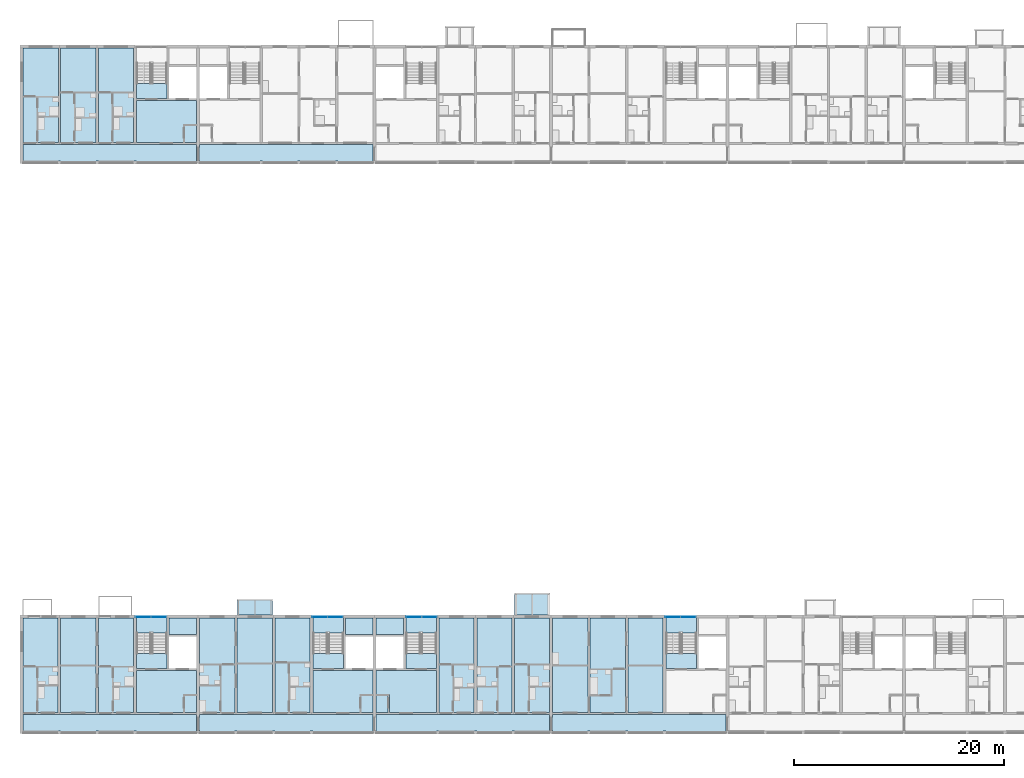
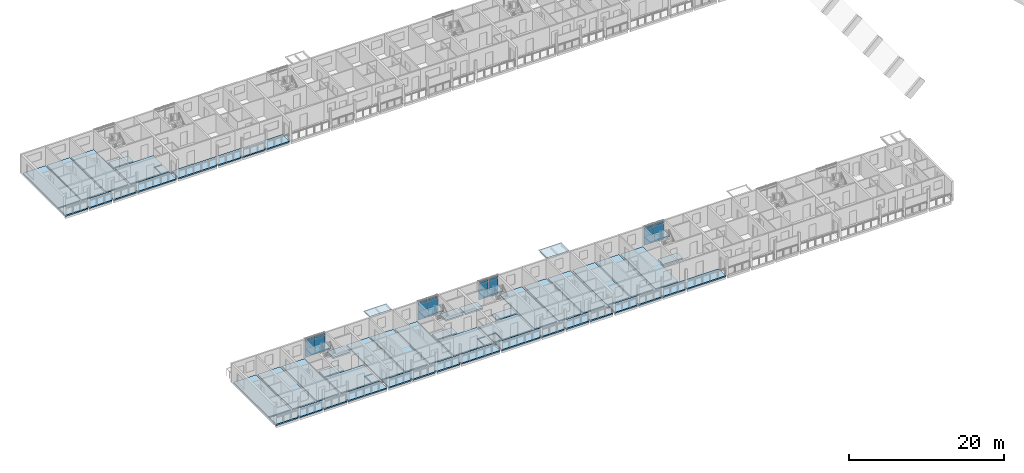
# One storey, part 24 of 98: 43 slabs, 16 plates, 8 elements without a shape of their own.
"""IFC4 building model written with IfcOpenShell, lengths in metres."""

from ifc_helpers import new_model, si_unit, direction, frame, origin, origin_2d, place, context, subcontext, project, spatial, polyline, rectangle, outline, extrude, material, layer, layer_set, type_object, element, aggregate, save


model = new_model("IFC4")

# Units and contexts
model_context = context("Model", 3, precision=1e-05, world=origin(), true_north=direction((0.0, 1.0)))
body_context = subcontext(model_context, "Body", "Model", "MODEL_VIEW")
ifc_project = project(units=[si_unit("LENGTHUNIT", "METRE"), si_unit("AREAUNIT", "SQUARE_METRE"), si_unit("VOLUMEUNIT", "CUBIC_METRE"), si_unit("PLANEANGLEUNIT", "RADIAN"), si_unit("MASSUNIT", "GRAM", prefix="KILO")], contexts=[model_context])

# Site, building, storey
site_placement = place(None, origin())
site = spatial("IfcSite", under=ifc_project, at=site_placement, CompositionType="ELEMENT")
building_placement = place(site_placement, origin())
building = spatial("IfcBuilding", under=site, at=building_placement, Name="Ridgestep Commons", CompositionType="ELEMENT")
storey_placement = place(building_placement, frame((0.0, 0.0, 12.0)))
storey = spatial("IfcBuildingStorey", under=building, at=storey_placement, Name="L04", CompositionType="ELEMENT", Elevation=12.0)

# Slabs
ifc_material_1 = material(Name="Precast concrete C40/50", Category="concrete")
ifc_layer_1 = layer(ifc_material_1, 0.199951171875)
ifc_layer_set_1 = layer_set([ifc_layer_1], Name="Gallery slab 200")
slab_type_1 = type_object("IfcSlabType", Name="Gallery slab 200", PredefinedType="FLOOR", material=ifc_layer_set_1)
slab_1_placement = place(storey_placement, frame((0.0, 0.0, -0.199951171875)))
element("IfcSlab", 1, at=slab_1_placement, inside=storey, type_object=slab_type_1, Name="Gallery slab A1 L04", PredefinedType="FLOOR", context=body_context, shape_type="SweptSolid", body=[
    extrude(outline(polyline([(28.64990234375, 13.550048828125), (12.14990234375, 13.550048828125), (12.14990234375, 11.75), (15.47509765625, 11.75), (15.47509765625, 12.0), (15.72509765625, 12.0), (15.72509765625, 11.75), (19.074951171875, 11.75), (19.074951171875, 12.0), (19.324951171875, 12.0), (19.324951171875, 11.75), (22.675048828125, 11.75), (22.675048828125, 12.0), (22.925048828125, 12.0), (22.925048828125, 11.75), (28.64990234375, 11.75), (28.64990234375, 13.550048828125)])), origin(), (0.0, 0.0, 1.0), 0.199951171875),
])
slab_2_placement = place(storey_placement, frame((0.0, 0.0, -0.199951171875)))
element("IfcSlab", 2, at=slab_2_placement, inside=storey, type_object=slab_type_1, Name="Gallery slab A2 L04", PredefinedType="FLOOR", context=body_context, shape_type="SweptSolid", body=[
    extrude(outline(polyline([(45.449951171875, 13.550048828125), (28.949951171875, 13.550048828125), (28.949951171875, 11.75), (32.27490234375, 11.75), (32.27490234375, 12.0), (32.52490234375, 12.0), (32.52490234375, 11.75), (35.875, 11.75), (35.875, 12.0), (36.125, 12.0), (36.125, 11.75), (39.47509765625, 11.75), (39.47509765625, 12.0), (39.72509765625, 12.0), (39.72509765625, 11.75), (45.449951171875, 11.75), (45.449951171875, 13.550048828125)])), origin(), (0.0, 0.0, 1.0), 0.199951171875),
])
slab_3_placement = place(storey_placement, frame((0.0, 0.0, -0.199951171875)))
element("IfcSlab", 3, at=slab_3_placement, inside=storey, type_object=slab_type_1, Name="Gallery slab A3 L04", PredefinedType="FLOOR", context=body_context, shape_type="SweptSolid", body=[
    extrude(outline(polyline([(62.25, 13.550048828125), (45.75, 13.550048828125), (45.75, 11.75), (51.47509765625, 11.75), (51.47509765625, 12.0), (51.72509765625, 12.0), (51.72509765625, 11.75), (55.074951171875, 11.75), (55.074951171875, 12.0), (55.324951171875, 12.0), (55.324951171875, 11.75), (58.675048828125, 11.75), (58.675048828125, 12.0), (58.925048828125, 12.0), (58.925048828125, 11.75), (62.25, 11.75), (62.25, 13.550048828125)])), origin(), (0.0, 0.0, 1.0), 0.199951171875),
])
slab_4_placement = place(storey_placement, frame((0.0, 0.0, -0.199951171875)))
element("IfcSlab", 4, at=slab_4_placement, inside=storey, type_object=slab_type_1, Name="Gallery slab A4 L04", PredefinedType="FLOOR", context=body_context, shape_type="SweptSolid", body=[
    extrude(outline(polyline([(79.050048828125, 13.550048828125), (62.550048828125, 13.550048828125), (62.550048828125, 11.75), (65.875, 11.75), (65.875, 12.0), (66.125, 12.0), (66.125, 11.75), (69.47509765625, 11.75), (69.47509765625, 12.0), (69.72509765625, 12.0), (69.72509765625, 11.75), (73.074951171875, 11.75), (73.074951171875, 12.0), (73.324951171875, 12.0), (73.324951171875, 11.75), (79.050048828125, 11.75), (79.050048828125, 13.550048828125)])), origin(), (0.0, 0.0, 1.0), 0.199951171875),
])
slab_5_placement = place(storey_placement, frame((0.0, 0.0, -0.199951171875)))
element("IfcSlab", 5, at=slab_5_placement, inside=storey, type_object=slab_type_1, Name="Gallery slab B1 L04", PredefinedType="FLOOR", context=body_context, shape_type="SweptSolid", body=[
    extrude(outline(polyline([(28.64990234375, 67.800048828125), (12.14990234375, 67.800048828125), (12.14990234375, 66.0), (15.47509765625, 66.0), (15.47509765625, 66.25), (15.72509765625, 66.25), (15.72509765625, 66.0), (19.074951171875, 66.0), (19.074951171875, 66.25), (19.324951171875, 66.25), (19.324951171875, 66.0), (22.675048828125, 66.0), (22.675048828125, 66.25), (22.925048828125, 66.25), (22.925048828125, 66.0), (28.64990234375, 66.0), (28.64990234375, 67.800048828125)])), origin(), (0.0, 0.0, 1.0), 0.199951171875),
])
slab_6_placement = place(storey_placement, frame((0.0, 0.0, -0.199951171875)))
element("IfcSlab", 6, at=slab_6_placement, inside=storey, type_object=slab_type_1, Name="Gallery slab B2 L04", PredefinedType="FLOOR", context=body_context, shape_type="SweptSolid", body=[
    extrude(outline(polyline([(45.449951171875, 67.800048828125), (28.949951171875, 67.800048828125), (28.949951171875, 66.0), (34.675048828125, 66.0), (34.675048828125, 66.25), (34.925048828125, 66.25), (34.925048828125, 66.0), (38.27490234375, 66.0), (38.27490234375, 66.25), (38.52490234375, 66.25), (38.52490234375, 66.0), (41.875, 66.0), (41.875, 66.25), (42.125, 66.25), (42.125, 66.0), (45.449951171875, 66.0), (45.449951171875, 67.800048828125)])), origin(), (0.0, 0.0, 1.0), 0.199951171875),
])

# Curtain wall, plates
ifc_material_2 = material(Name="Aluminium 6063-T6 and glass", Category="aluminium")
curtain_wall_type = type_object("IfcCurtainWallType", Name="Curtain wall stair strip", PredefinedType="NOTDEFINED", material=ifc_material_2)
curtain_wall_1_placement = place(storey_placement, origin())
curtain_wall_1 = element("IfcCurtainWall", 7, at=curtain_wall_1_placement, inside=storey, type_object=curtain_wall_type, Name="Curtain wall A1C level 04", PredefinedType="NOTDEFINED")
ifc_material_3 = material(Name="Glass laminated 6/16/6 low-emissivity", Category="glass")
ifc_layer_2 = layer(ifc_material_3, 0.028076171875)
ifc_layer_set_2 = layer_set([ifc_layer_2], Name="Glazing panel 28")
plate_type_1 = type_object("IfcPlateType", Name="Glazing panel 28", PredefinedType="CURTAIN_PANEL", material=ifc_layer_set_2)
plate_1_placement = place(storey_placement, frame((23.5712890625, 22.830078125, 0.06005859375), z_axis=(0.0, 0.0, 1.0), x_axis=(1.0, 0.0, 0.0)))
plate_1 = element("IfcPlate", 8, at=plate_1_placement, type_object=plate_type_1, Name="CW1 panel 1.1", PredefinedType="CURTAIN_PANEL", context=body_context, shape_type="SweptSolid", body=[
    extrude(rectangle(XDim=1.422607421875, YDim=0.028076171875, at=origin_2d()), origin(), (0.0, 0.0, 1.0), 2.5),
])
plate_2_placement = place(storey_placement, frame((25.0537109375, 22.830078125, 0.06005859375), z_axis=(0.0, 0.0, 1.0), x_axis=(1.0, 0.0, 0.0)))
plate_2 = element("IfcPlate", 9, at=plate_2_placement, type_object=plate_type_1, Name="CW1 panel 2.1", PredefinedType="CURTAIN_PANEL", context=body_context, shape_type="SweptSolid", body=[
    extrude(rectangle(XDim=1.422607421875, YDim=0.028076171875, at=origin_2d()), origin(), (0.0, 0.0, 1.0), 2.5),
])

curtain_wall_2_placement = place(storey_placement, origin())
curtain_wall_2 = element("IfcCurtainWall", 10, at=curtain_wall_2_placement, inside=storey, type_object=curtain_wall_type, Name="Curtain wall A2C level 04", PredefinedType="NOTDEFINED")
plate_3_placement = place(storey_placement, frame((40.371337890625, 22.830078125, 0.06005859375), z_axis=(0.0, 0.0, 1.0), x_axis=(1.0, 0.0, 0.0)))
plate_3 = element("IfcPlate", 11, at=plate_3_placement, type_object=plate_type_1, Name="CW1 panel 1.1", PredefinedType="CURTAIN_PANEL", context=body_context, shape_type="SweptSolid", body=[
    extrude(rectangle(XDim=1.422607421875, YDim=0.028076171875, at=origin_2d()), origin(), (0.0, 0.0, 1.0), 2.5),
])
plate_4_placement = place(storey_placement, frame((41.853759765625, 22.830078125, 0.06005859375), z_axis=(0.0, 0.0, 1.0), x_axis=(1.0, 0.0, 0.0)))
plate_4 = element("IfcPlate", 12, at=plate_4_placement, type_object=plate_type_1, Name="CW1 panel 2.1", PredefinedType="CURTAIN_PANEL", context=body_context, shape_type="SweptSolid", body=[
    extrude(rectangle(XDim=1.422607421875, YDim=0.028076171875, at=origin_2d()), origin(), (0.0, 0.0, 1.0), 2.5),
])

curtain_wall_3_placement = place(storey_placement, origin())
curtain_wall_3 = element("IfcCurtainWall", 13, at=curtain_wall_3_placement, inside=storey, type_object=curtain_wall_type, Name="Curtain wall A3C level 04", PredefinedType="NOTDEFINED")
plate_5_placement = place(storey_placement, frame((49.34619140625, 22.830078125, 0.06005859375), z_axis=(0.0, 0.0, 1.0), x_axis=(1.0, 0.0, 0.0)))
plate_5 = element("IfcPlate", 14, at=plate_5_placement, type_object=plate_type_1, Name="CW1 panel 1.1", PredefinedType="CURTAIN_PANEL", context=body_context, shape_type="SweptSolid", body=[
    extrude(rectangle(XDim=1.422607421875, YDim=0.028076171875, at=origin_2d()), origin(), (0.0, 0.0, 1.0), 2.5),
])
plate_6_placement = place(storey_placement, frame((50.828857421875, 22.830078125, 0.06005859375), z_axis=(0.0, 0.0, 1.0), x_axis=(1.0, 0.0, 0.0)))
plate_6 = element("IfcPlate", 15, at=plate_6_placement, type_object=plate_type_1, Name="CW1 panel 2.1", PredefinedType="CURTAIN_PANEL", context=body_context, shape_type="SweptSolid", body=[
    extrude(rectangle(XDim=1.422607421875, YDim=0.028076171875, at=origin_2d()), origin(), (0.0, 0.0, 1.0), 2.5),
])

curtain_wall_4_placement = place(storey_placement, origin())
curtain_wall_4 = element("IfcCurtainWall", 16, at=curtain_wall_4_placement, inside=storey, type_object=curtain_wall_type, Name="Curtain wall A4C level 04", PredefinedType="NOTDEFINED")
plate_7_placement = place(storey_placement, frame((73.97119140625, 22.830078125, 0.06005859375), z_axis=(0.0, 0.0, 1.0), x_axis=(1.0, 0.0, 0.0)))
plate_7 = element("IfcPlate", 17, at=plate_7_placement, type_object=plate_type_1, Name="CW1 panel 1.1", PredefinedType="CURTAIN_PANEL", context=body_context, shape_type="SweptSolid", body=[
    extrude(rectangle(XDim=1.422607421875, YDim=0.028076171875, at=origin_2d()), origin(), (0.0, 0.0, 1.0), 2.5),
])
plate_8_placement = place(storey_placement, frame((75.453857421875, 22.830078125, 0.06005859375), z_axis=(0.0, 0.0, 1.0), x_axis=(1.0, 0.0, 0.0)))
plate_8 = element("IfcPlate", 18, at=plate_8_placement, type_object=plate_type_1, Name="CW1 panel 2.1", PredefinedType="CURTAIN_PANEL", context=body_context, shape_type="SweptSolid", body=[
    extrude(rectangle(XDim=1.422607421875, YDim=0.028076171875, at=origin_2d()), origin(), (0.0, 0.0, 1.0), 2.5),
])

# Slabs
ifc_material_4 = material(Name="Precast concrete C50/60", Category="concrete")
ifc_layer_3 = layer(ifc_material_4, 0.199951171875)
ifc_layer_set_3 = layer_set([ifc_layer_3], Name="Hollow-core plank 200")
slab_type_2 = type_object("IfcSlabType", Name="Hollow-core plank 200", PredefinedType="FLOOR", material=ifc_layer_set_3)
slab_7_placement = place(storey_placement, frame((0.0, 0.0, -0.199951171875)))
element("IfcSlab", 19, at=slab_7_placement, inside=storey, type_object=slab_type_2, Name="Floor plank A1T1 L04", PredefinedType="FLOOR", context=body_context, shape_type="SweptSolid", body=[
    extrude(outline(polyline([(15.47509765625, 13.75), (15.47509765625, 22.75), (12.14990234375, 22.75), (12.14990234375, 13.75), (15.47509765625, 13.75)])), origin(), (0.0, 0.0, 1.0), 0.199951171875),
])
slab_8_placement = place(storey_placement, frame((0.0, 0.0, -0.199951171875)))
element("IfcSlab", 20, at=slab_8_placement, inside=storey, type_object=slab_type_2, Name="Floor plank A1T2 L04", PredefinedType="FLOOR", context=body_context, shape_type="SweptSolid", body=[
    extrude(outline(polyline([(19.074951171875, 13.75), (19.074951171875, 22.75), (15.72509765625, 22.75), (15.72509765625, 13.75), (19.074951171875, 13.75)])), origin(), (0.0, 0.0, 1.0), 0.199951171875),
])
slab_9_placement = place(storey_placement, frame((0.0, 0.0, -0.199951171875)))
element("IfcSlab", 21, at=slab_9_placement, inside=storey, type_object=slab_type_2, Name="Floor plank A1T3 L04", PredefinedType="FLOOR", context=body_context, shape_type="SweptSolid", body=[
    extrude(outline(polyline([(22.675048828125, 13.75), (22.675048828125, 22.75), (19.324951171875, 22.75), (19.324951171875, 13.75), (22.675048828125, 13.75)])), origin(), (0.0, 0.0, 1.0), 0.199951171875),
])
slab_10_placement = place(storey_placement, frame((0.0, 0.0, -0.199951171875)))
element("IfcSlab", 22, at=slab_10_placement, inside=storey, type_object=slab_type_2, Name="Floor plank A2T1 L04", PredefinedType="FLOOR", context=body_context, shape_type="SweptSolid", body=[
    extrude(outline(polyline([(32.300048828125, 13.75), (32.300048828125, 22.75), (28.949951171875, 22.75), (28.949951171875, 13.75), (32.300048828125, 13.75)])), origin(), (0.0, 0.0, 1.0), 0.199951171875),
])
slab_11_placement = place(storey_placement, frame((0.0, 0.0, -0.199951171875)))
element("IfcSlab", 23, at=slab_11_placement, inside=storey, type_object=slab_type_2, Name="Floor plank A2T2 L04", PredefinedType="FLOOR", context=body_context, shape_type="SweptSolid", body=[
    extrude(outline(polyline([(35.875, 13.75), (35.875, 22.75), (32.5, 22.75), (32.5, 13.75), (35.875, 13.75)])), origin(), (0.0, 0.0, 1.0), 0.199951171875),
])
slab_12_placement = place(storey_placement, frame((0.0, 0.0, -0.199951171875)))
element("IfcSlab", 24, at=slab_12_placement, inside=storey, type_object=slab_type_2, Name="Floor plank A2T3 L04", PredefinedType="FLOOR", context=body_context, shape_type="SweptSolid", body=[
    extrude(outline(polyline([(39.47509765625, 13.75), (39.47509765625, 22.75), (36.125, 22.75), (36.125, 13.75), (39.47509765625, 13.75)])), origin(), (0.0, 0.0, 1.0), 0.199951171875),
])
slab_13_placement = place(storey_placement, frame((0.0, 0.0, -0.199951171875)))
element("IfcSlab", 25, at=slab_13_placement, inside=storey, type_object=slab_type_2, Name="Floor plank A3T3 L04", PredefinedType="FLOOR", context=body_context, shape_type="SweptSolid", body=[
    extrude(outline(polyline([(55.074951171875, 13.75), (55.074951171875, 22.75), (51.72509765625, 22.75), (51.72509765625, 13.75), (55.074951171875, 13.75)])), origin(), (0.0, 0.0, 1.0), 0.199951171875),
])
slab_14_placement = place(storey_placement, frame((0.0, 0.0, -0.199951171875)))
element("IfcSlab", 26, at=slab_14_placement, inside=storey, type_object=slab_type_2, Name="Floor plank A3T2 L04", PredefinedType="FLOOR", context=body_context, shape_type="SweptSolid", body=[
    extrude(outline(polyline([(58.675048828125, 13.75), (58.675048828125, 22.75), (55.324951171875, 22.75), (55.324951171875, 13.75), (58.675048828125, 13.75)])), origin(), (0.0, 0.0, 1.0), 0.199951171875),
])
slab_15_placement = place(storey_placement, frame((0.0, 0.0, -0.199951171875)))
element("IfcSlab", 27, at=slab_15_placement, inside=storey, type_object=slab_type_2, Name="Floor plank A3T1 L04", PredefinedType="FLOOR", context=body_context, shape_type="SweptSolid", body=[
    extrude(outline(polyline([(62.25, 13.75), (62.25, 22.75), (58.925048828125, 22.75), (58.925048828125, 13.75), (62.25, 13.75)])), origin(), (0.0, 0.0, 1.0), 0.199951171875),
])
slab_16_placement = place(storey_placement, frame((0.0, 0.0, -0.199951171875)))
element("IfcSlab", 28, at=slab_16_placement, inside=storey, type_object=slab_type_2, Name="Floor plank A4T1 L04", PredefinedType="FLOOR", context=body_context, shape_type="SweptSolid", body=[
    extrude(outline(polyline([(65.89990234375, 13.75), (65.89990234375, 22.75), (62.550048828125, 22.75), (62.550048828125, 13.75), (65.89990234375, 13.75)])), origin(), (0.0, 0.0, 1.0), 0.199951171875),
])
slab_17_placement = place(storey_placement, frame((0.0, 0.0, -0.199951171875)))
element("IfcSlab", 29, at=slab_17_placement, inside=storey, type_object=slab_type_2, Name="Floor plank A4T2 L04", PredefinedType="FLOOR", context=body_context, shape_type="SweptSolid", body=[
    extrude(outline(polyline([(69.47509765625, 13.75), (69.47509765625, 22.75), (66.10009765625, 22.75), (66.10009765625, 13.75), (69.47509765625, 13.75)])), origin(), (0.0, 0.0, 1.0), 0.199951171875),
])
slab_18_placement = place(storey_placement, frame((0.0, 0.0, -0.199951171875)))
element("IfcSlab", 30, at=slab_18_placement, inside=storey, type_object=slab_type_2, Name="Floor plank A4T3 L04", PredefinedType="FLOOR", context=body_context, shape_type="SweptSolid", body=[
    extrude(outline(polyline([(73.074951171875, 13.75), (73.074951171875, 22.75), (69.72509765625, 22.75), (69.72509765625, 13.75), (73.074951171875, 13.75)])), origin(), (0.0, 0.0, 1.0), 0.199951171875),
])
slab_19_placement = place(storey_placement, frame((0.0, 0.0, -0.199951171875)))
element("IfcSlab", 31, at=slab_19_placement, inside=storey, type_object=slab_type_2, Name="Floor plank B1T1 L04", PredefinedType="FLOOR", context=body_context, shape_type="SweptSolid", body=[
    extrude(outline(polyline([(15.5, 68.0), (15.5, 77.0), (12.14990234375, 77.0), (12.14990234375, 68.0), (15.5, 68.0)])), origin(), (0.0, 0.0, 1.0), 0.199951171875),
])
slab_20_placement = place(storey_placement, frame((0.0, 0.0, -0.199951171875)))
element("IfcSlab", 32, at=slab_20_placement, inside=storey, type_object=slab_type_2, Name="Floor plank B1T2 L04", PredefinedType="FLOOR", context=body_context, shape_type="SweptSolid", body=[
    extrude(outline(polyline([(19.10009765625, 68.0), (19.10009765625, 77.0), (15.699951171875, 77.0), (15.699951171875, 68.0), (19.10009765625, 68.0)])), origin(), (0.0, 0.0, 1.0), 0.199951171875),
])
slab_21_placement = place(storey_placement, frame((0.0, 0.0, -0.199951171875)))
element("IfcSlab", 33, at=slab_21_placement, inside=storey, type_object=slab_type_2, Name="Floor plank B1T3 L04", PredefinedType="FLOOR", context=body_context, shape_type="SweptSolid", body=[
    extrude(outline(polyline([(22.675048828125, 68.0), (22.675048828125, 77.0), (19.300048828125, 77.0), (19.300048828125, 68.0), (22.675048828125, 68.0)])), origin(), (0.0, 0.0, 1.0), 0.199951171875),
])
ifc_material_5 = material(Name="Precast concrete C50/60", Category="concrete")
ifc_layer_4 = layer(ifc_material_5, 0.25)
ifc_layer_set_4 = layer_set([ifc_layer_4], Name="Hollow-core plank 250")
slab_type_3 = type_object("IfcSlabType", Name="Hollow-core plank 250", PredefinedType="FLOOR", material=ifc_layer_set_4)
slab_22_placement = place(storey_placement, frame((0.0, 0.0, -0.25)))
element("IfcSlab", 34, at=slab_22_placement, inside=storey, type_object=slab_type_3, Name="Floor plank A1C L04", PredefinedType="FLOOR", context=body_context, shape_type="SweptSolid", body=[
    extrude(outline(polyline([(27.52001953125, 15.469970703125), (28.64990234375, 15.469970703125), (28.64990234375, 17.75), (22.925048828125, 17.75), (22.925048828125, 13.75), (27.39990234375, 13.75), (27.39990234375, 15.469970703125), (27.52001953125, 15.469970703125)])), origin(), (0.0, 0.0, 1.0), 0.25),
])
slab_23_placement = place(storey_placement, frame((0.0, 0.0, -0.25)))
element("IfcSlab", 35, at=slab_23_placement, inside=storey, type_object=slab_type_3, Name="Floor plank A1C L04", PredefinedType="FLOOR", context=body_context, shape_type="SweptSolid", body=[
    extrude(outline(polyline([(28.64990234375, 21.14990234375), (28.64990234375, 22.75), (26.02490234375, 22.75), (26.02490234375, 21.14990234375), (28.64990234375, 21.14990234375)])), origin(), (0.0, 0.0, 1.0), 0.25),
])
slab_24_placement = place(storey_placement, frame((0.0, 0.0, -0.25)))
element("IfcSlab", 36, at=slab_24_placement, inside=storey, type_object=slab_type_3, Name="Floor plank A1C L04", PredefinedType="FLOOR", context=body_context, shape_type="SweptSolid", body=[
    extrude(outline(polyline([(25.824951171875, 17.949951171875), (25.824951171875, 19.35009765625), (22.925048828125, 19.35009765625), (22.925048828125, 17.949951171875), (25.824951171875, 17.949951171875)])), origin(), (0.0, 0.0, 1.0), 0.25),
])
slab_25_placement = place(storey_placement, frame((0.0, 0.0, -0.25)))
element("IfcSlab", 37, at=slab_25_placement, inside=storey, type_object=slab_type_3, Name="Floor plank A1C L04", PredefinedType="FLOOR", context=body_context, shape_type="SweptSolid", body=[
    extrude(outline(polyline([(27.52001953125, 13.75), (28.64990234375, 13.75), (28.64990234375, 15.35009765625), (27.52001953125, 15.35009765625), (27.52001953125, 13.75)])), origin(), (0.0, 0.0, 1.0), 0.25),
])
slab_26_placement = place(storey_placement, frame((0.0, 0.0, -0.25)))
element("IfcSlab", 38, at=slab_26_placement, inside=storey, type_object=slab_type_3, Name="Floor plank A2C L04", PredefinedType="FLOOR", context=body_context, shape_type="SweptSolid", body=[
    extrude(outline(polyline([(44.320068359375, 15.469970703125), (45.449951171875, 15.469970703125), (45.449951171875, 17.75), (39.72509765625, 17.75), (39.72509765625, 13.75), (44.199951171875, 13.75), (44.199951171875, 15.469970703125), (44.320068359375, 15.469970703125)])), origin(), (0.0, 0.0, 1.0), 0.25),
])
slab_27_placement = place(storey_placement, frame((0.0, 0.0, -0.25)))
element("IfcSlab", 39, at=slab_27_placement, inside=storey, type_object=slab_type_3, Name="Floor plank A2C L04", PredefinedType="FLOOR", context=body_context, shape_type="SweptSolid", body=[
    extrude(outline(polyline([(45.449951171875, 21.14990234375), (45.449951171875, 22.75), (42.824951171875, 22.75), (42.824951171875, 21.14990234375), (45.449951171875, 21.14990234375)])), origin(), (0.0, 0.0, 1.0), 0.25),
])
slab_28_placement = place(storey_placement, frame((0.0, 0.0, -0.25)))
element("IfcSlab", 40, at=slab_28_placement, inside=storey, type_object=slab_type_3, Name="Floor plank A2C L04", PredefinedType="FLOOR", context=body_context, shape_type="SweptSolid", body=[
    extrude(outline(polyline([(42.625, 17.949951171875), (42.625, 19.35009765625), (39.72509765625, 19.35009765625), (39.72509765625, 17.949951171875), (42.625, 17.949951171875)])), origin(), (0.0, 0.0, 1.0), 0.25),
])
slab_29_placement = place(storey_placement, frame((0.0, 0.0, -0.25)))
element("IfcSlab", 41, at=slab_29_placement, inside=storey, type_object=slab_type_3, Name="Floor plank A2C L04", PredefinedType="FLOOR", context=body_context, shape_type="SweptSolid", body=[
    extrude(outline(polyline([(44.320068359375, 13.75), (45.449951171875, 13.75), (45.449951171875, 15.35009765625), (44.320068359375, 15.35009765625), (44.320068359375, 13.75)])), origin(), (0.0, 0.0, 1.0), 0.25),
])
slab_30_placement = place(storey_placement, frame((0.0, 0.0, -0.25)))
element("IfcSlab", 42, at=slab_30_placement, inside=storey, type_object=slab_type_3, Name="Floor plank A3C L04", PredefinedType="FLOOR", context=body_context, shape_type="SweptSolid", body=[
    extrude(outline(polyline([(47.0, 13.75), (51.47509765625, 13.75), (51.47509765625, 17.75), (45.75, 17.75), (45.75, 15.469970703125), (46.8798828125, 15.469970703125), (47.0, 15.469970703125), (47.0, 13.75)])), origin(), (0.0, 0.0, 1.0), 0.25),
])
slab_31_placement = place(storey_placement, frame((0.0, 0.0, -0.25)))
element("IfcSlab", 43, at=slab_31_placement, inside=storey, type_object=slab_type_3, Name="Floor plank A3C L04", PredefinedType="FLOOR", context=body_context, shape_type="SweptSolid", body=[
    extrude(outline(polyline([(48.375, 22.75), (45.75, 22.75), (45.75, 21.14990234375), (48.375, 21.14990234375), (48.375, 22.75)])), origin(), (0.0, 0.0, 1.0), 0.25),
])
slab_32_placement = place(storey_placement, frame((0.0, 0.0, -0.25)))
element("IfcSlab", 44, at=slab_32_placement, inside=storey, type_object=slab_type_3, Name="Floor plank A3C L04", PredefinedType="FLOOR", context=body_context, shape_type="SweptSolid", body=[
    extrude(outline(polyline([(51.47509765625, 17.949951171875), (51.47509765625, 19.35009765625), (48.574951171875, 19.35009765625), (48.574951171875, 17.949951171875), (51.47509765625, 17.949951171875)])), origin(), (0.0, 0.0, 1.0), 0.25),
])
slab_33_placement = place(storey_placement, frame((0.0, 0.0, -0.25)))
element("IfcSlab", 45, at=slab_33_placement, inside=storey, type_object=slab_type_3, Name="Floor plank A3C L04", PredefinedType="FLOOR", context=body_context, shape_type="SweptSolid", body=[
    extrude(outline(polyline([(46.8798828125, 15.35009765625), (45.75, 15.35009765625), (45.75, 13.75), (46.8798828125, 13.75), (46.8798828125, 15.35009765625)])), origin(), (0.0, 0.0, 1.0), 0.25),
])
slab_34_placement = place(storey_placement, frame((0.0, 0.0, -0.25)))
element("IfcSlab", 46, at=slab_34_placement, inside=storey, type_object=slab_type_3, Name="Floor plank A4C L04", PredefinedType="FLOOR", context=body_context, shape_type="SweptSolid", body=[
    extrude(outline(polyline([(76.22509765625, 17.949951171875), (76.22509765625, 19.35009765625), (73.324951171875, 19.35009765625), (73.324951171875, 17.949951171875), (76.22509765625, 17.949951171875)])), origin(), (0.0, 0.0, 1.0), 0.25),
])
slab_35_placement = place(storey_placement, frame((0.0, 0.0, -0.25)))
element("IfcSlab", 47, at=slab_35_placement, inside=storey, type_object=slab_type_3, Name="Floor plank B1C L04", PredefinedType="FLOOR", context=body_context, shape_type="SweptSolid", body=[
    extrude(outline(polyline([(27.52001953125, 69.719970703125), (28.64990234375, 69.719970703125), (28.64990234375, 72.0), (22.925048828125, 72.0), (22.925048828125, 68.0), (27.39990234375, 68.0), (27.39990234375, 69.719970703125), (27.52001953125, 69.719970703125)])), origin(), (0.0, 0.0, 1.0), 0.25),
])
slab_36_placement = place(storey_placement, frame((0.0, 0.0, -0.25)))
element("IfcSlab", 48, at=slab_36_placement, inside=storey, type_object=slab_type_3, Name="Floor plank B1C L04", PredefinedType="FLOOR", context=body_context, shape_type="SweptSolid", body=[
    extrude(outline(polyline([(25.824951171875, 72.199951171875), (25.824951171875, 73.60009765625), (22.925048828125, 73.60009765625), (22.925048828125, 72.199951171875), (25.824951171875, 72.199951171875)])), origin(), (0.0, 0.0, 1.0), 0.25),
])
slab_37_placement = place(storey_placement, frame((0.0, 0.0, -0.25)))
element("IfcSlab", 49, at=slab_37_placement, inside=storey, type_object=slab_type_3, Name="Floor plank B1C L04", PredefinedType="FLOOR", context=body_context, shape_type="SweptSolid", body=[
    extrude(outline(polyline([(27.52001953125, 68.0), (28.64990234375, 68.0), (28.64990234375, 69.60009765625), (27.52001953125, 69.60009765625), (27.52001953125, 68.0)])), origin(), (0.0, 0.0, 1.0), 0.25),
])

# Plate
ifc_material_6 = material(Name="Aluminium 6063-T6 and mineral wool", Category="aluminium")
ifc_layer_5 = layer(ifc_material_6, 0.0400390625)
ifc_layer_set_5 = layer_set([ifc_layer_5], Name="Spandrel panel 40")
plate_type_2 = type_object("IfcPlateType", Name="Spandrel panel 40", PredefinedType="CURTAIN_PANEL", material=ifc_layer_set_5)
plate_9_placement = place(storey_placement, frame((23.5712890625, 22.830078125, 2.6201171875), z_axis=(0.0, 0.0, 1.0), x_axis=(1.0, 0.0, 0.0)))
plate_9 = element("IfcPlate", 50, at=plate_9_placement, type_object=plate_type_2, Name="CW1 panel 1.2", PredefinedType="CURTAIN_PANEL", context=body_context, shape_type="SweptSolid", body=[
    extrude(rectangle(XDim=1.422607421875, YDim=0.0400390625, at=origin_2d()), origin(), (0.0, 0.0, 1.0), 0.320068359375),
])

plate_10_placement = place(storey_placement, frame((25.0537109375, 22.830078125, 2.6201171875), z_axis=(0.0, 0.0, 1.0), x_axis=(1.0, 0.0, 0.0)))
plate_10 = element("IfcPlate", 51, at=plate_10_placement, type_object=plate_type_2, Name="CW1 panel 2.2", PredefinedType="CURTAIN_PANEL", context=body_context, shape_type="SweptSolid", body=[
    extrude(rectangle(XDim=1.422607421875, YDim=0.0400390625, at=origin_2d()), origin(), (0.0, 0.0, 1.0), 0.320068359375),
])

aggregate(curtain_wall_1, [plate_1, plate_9, plate_2, plate_10])

plate_11_placement = place(storey_placement, frame((40.371337890625, 22.830078125, 2.6201171875), z_axis=(0.0, 0.0, 1.0), x_axis=(1.0, 0.0, 0.0)))
plate_11 = element("IfcPlate", 52, at=plate_11_placement, type_object=plate_type_2, Name="CW1 panel 1.2", PredefinedType="CURTAIN_PANEL", context=body_context, shape_type="SweptSolid", body=[
    extrude(rectangle(XDim=1.422607421875, YDim=0.0400390625, at=origin_2d()), origin(), (0.0, 0.0, 1.0), 0.320068359375),
])

plate_12_placement = place(storey_placement, frame((41.853759765625, 22.830078125, 2.6201171875), z_axis=(0.0, 0.0, 1.0), x_axis=(1.0, 0.0, 0.0)))
plate_12 = element("IfcPlate", 53, at=plate_12_placement, type_object=plate_type_2, Name="CW1 panel 2.2", PredefinedType="CURTAIN_PANEL", context=body_context, shape_type="SweptSolid", body=[
    extrude(rectangle(XDim=1.422607421875, YDim=0.0400390625, at=origin_2d()), origin(), (0.0, 0.0, 1.0), 0.320068359375),
])

aggregate(curtain_wall_2, [plate_3, plate_11, plate_4, plate_12])

plate_13_placement = place(storey_placement, frame((49.34619140625, 22.830078125, 2.6201171875), z_axis=(0.0, 0.0, 1.0), x_axis=(1.0, 0.0, 0.0)))
plate_13 = element("IfcPlate", 54, at=plate_13_placement, type_object=plate_type_2, Name="CW1 panel 1.2", PredefinedType="CURTAIN_PANEL", context=body_context, shape_type="SweptSolid", body=[
    extrude(rectangle(XDim=1.422607421875, YDim=0.0400390625, at=origin_2d()), origin(), (0.0, 0.0, 1.0), 0.320068359375),
])

plate_14_placement = place(storey_placement, frame((50.828857421875, 22.830078125, 2.6201171875), z_axis=(0.0, 0.0, 1.0), x_axis=(1.0, 0.0, 0.0)))
plate_14 = element("IfcPlate", 55, at=plate_14_placement, type_object=plate_type_2, Name="CW1 panel 2.2", PredefinedType="CURTAIN_PANEL", context=body_context, shape_type="SweptSolid", body=[
    extrude(rectangle(XDim=1.422607421875, YDim=0.0400390625, at=origin_2d()), origin(), (0.0, 0.0, 1.0), 0.320068359375),
])

aggregate(curtain_wall_3, [plate_5, plate_13, plate_6, plate_14])

plate_15_placement = place(storey_placement, frame((73.97119140625, 22.830078125, 2.6201171875), z_axis=(0.0, 0.0, 1.0), x_axis=(1.0, 0.0, 0.0)))
plate_15 = element("IfcPlate", 56, at=plate_15_placement, type_object=plate_type_2, Name="CW1 panel 1.2", PredefinedType="CURTAIN_PANEL", context=body_context, shape_type="SweptSolid", body=[
    extrude(rectangle(XDim=1.422607421875, YDim=0.0400390625, at=origin_2d()), origin(), (0.0, 0.0, 1.0), 0.320068359375),
])

plate_16_placement = place(storey_placement, frame((75.453857421875, 22.830078125, 2.6201171875), z_axis=(0.0, 0.0, 1.0), x_axis=(1.0, 0.0, 0.0)))
plate_16 = element("IfcPlate", 57, at=plate_16_placement, type_object=plate_type_2, Name="CW1 panel 2.2", PredefinedType="CURTAIN_PANEL", context=body_context, shape_type="SweptSolid", body=[
    extrude(rectangle(XDim=1.422607421875, YDim=0.0400390625, at=origin_2d()), origin(), (0.0, 0.0, 1.0), 0.320068359375),
])

aggregate(curtain_wall_4, [plate_7, plate_15, plate_8, plate_16])

# Stair, slab
ifc_material_7 = material(Name="Precast concrete C40/50", Category="concrete")
stair_type = type_object("IfcStairType", Name="Escape stair 1400", PredefinedType="HALF_TURN_STAIR", material=ifc_material_7)
stair_1_placement = place(storey_placement, origin())
stair_1 = element("IfcStair", 58, at=stair_1_placement, inside=storey, type_object=stair_type, Name="L04 Escape stair A1C", PredefinedType="HALF_TURN_STAIR")
ifc_material_8 = material(Name="Precast concrete C40/50", Category="concrete")
ifc_layer_6 = layer(ifc_material_8, 0.199951171875)
ifc_layer_set_6 = layer_set([ifc_layer_6], Name="Stair landing 200")
slab_type_4 = type_object("IfcSlabType", Name="Stair landing 200", PredefinedType="LANDING", material=ifc_layer_set_6)
slab_38_placement = place(storey_placement, frame((0.0, 0.0, 1.300048828125)))
slab_38 = element("IfcSlab", 59, at=slab_38_placement, type_object=slab_type_4, Name="A1C landing 1", PredefinedType="LANDING", context=body_context, shape_type="SweptSolid", body=[
    extrude(outline(polyline([(25.824951171875, 21.31005859375), (25.824951171875, 22.75), (22.925048828125, 22.75), (22.925048828125, 21.31005859375), (25.824951171875, 21.31005859375)])), origin(), (0.0, 0.0, 1.0), 0.199951171875),
])
aggregate(stair_1, [slab_38])

stair_2_placement = place(storey_placement, origin())
stair_2 = element("IfcStair", 60, at=stair_2_placement, inside=storey, type_object=stair_type, Name="L04 Escape stair A2C", PredefinedType="HALF_TURN_STAIR")
slab_39_placement = place(storey_placement, frame((0.0, 0.0, 1.300048828125)))
slab_39 = element("IfcSlab", 61, at=slab_39_placement, type_object=slab_type_4, Name="A2C landing 1", PredefinedType="LANDING", context=body_context, shape_type="SweptSolid", body=[
    extrude(outline(polyline([(42.625, 21.31005859375), (42.625, 22.75), (39.72509765625, 22.75), (39.72509765625, 21.31005859375), (42.625, 21.31005859375)])), origin(), (0.0, 0.0, 1.0), 0.199951171875),
])
aggregate(stair_2, [slab_39])

stair_3_placement = place(storey_placement, origin())
stair_3 = element("IfcStair", 62, at=stair_3_placement, inside=storey, type_object=stair_type, Name="L04 Escape stair A3C", PredefinedType="HALF_TURN_STAIR")
slab_40_placement = place(storey_placement, frame((0.0, 0.0, 1.300048828125)))
slab_40 = element("IfcSlab", 63, at=slab_40_placement, type_object=slab_type_4, Name="A3C landing 1", PredefinedType="LANDING", context=body_context, shape_type="SweptSolid", body=[
    extrude(outline(polyline([(51.47509765625, 21.31005859375), (51.47509765625, 22.75), (48.574951171875, 22.75), (48.574951171875, 21.31005859375), (51.47509765625, 21.31005859375)])), origin(), (0.0, 0.0, 1.0), 0.199951171875),
])
aggregate(stair_3, [slab_40])

stair_4_placement = place(storey_placement, origin())
stair_4 = element("IfcStair", 64, at=stair_4_placement, inside=storey, type_object=stair_type, Name="L04 Escape stair A4C", PredefinedType="HALF_TURN_STAIR")
slab_41_placement = place(storey_placement, frame((0.0, 0.0, 1.300048828125)))
slab_41 = element("IfcSlab", 65, at=slab_41_placement, type_object=slab_type_4, Name="A4C landing 1", PredefinedType="LANDING", context=body_context, shape_type="SweptSolid", body=[
    extrude(outline(polyline([(76.22509765625, 21.31005859375), (76.22509765625, 22.75), (73.324951171875, 22.75), (73.324951171875, 21.31005859375), (76.22509765625, 21.31005859375)])), origin(), (0.0, 0.0, 1.0), 0.199951171875),
])
aggregate(stair_4, [slab_41])

# Slabs
ifc_material_9 = material(Name="Weathering steel S355J2W", Category="steel")
ifc_layer_7 = layer(ifc_material_9, 0.010009765625)
ifc_layer_set_7 = layer_set([ifc_layer_7], Name="Tray 3.4 x 1.5")
slab_type_5 = type_object("IfcSlabType", Name="Tray 3.4 x 1.5", PredefinedType="FLOOR", material=ifc_layer_set_7)
slab_42_placement = place(storey_placement, frame((0.0, 0.0, 2.989990234375)))
element("IfcSlab", 66, at=slab_42_placement, inside=storey, type_object=slab_type_5, Name="Tray deck A2T2-05", PredefinedType="FLOOR", context=body_context, shape_type="SweptSolid", body=[
    extrude(outline(polyline([(32.530029296875, 23.0), (35.8701171875, 23.0), (35.8701171875, 24.5), (32.530029296875, 24.5), (32.530029296875, 23.0)])), origin(), (0.0, 0.0, 1.0), 0.010009765625),
])
ifc_material_10 = material(Name="Weathering steel S355J2W", Category="steel")
ifc_layer_8 = layer(ifc_material_10, 0.010009765625)
ifc_layer_set_8 = layer_set([ifc_layer_8], Name="Tray 3.4 x 2.1")
slab_type_6 = type_object("IfcSlabType", Name="Tray 3.4 x 2.1", PredefinedType="FLOOR", material=ifc_layer_set_8)
slab_43_placement = place(storey_placement, frame((0.0, 0.0, 2.989990234375)))
element("IfcSlab", 67, at=slab_43_placement, inside=storey, type_object=slab_type_6, Name="Tray deck A3T1-05", PredefinedType="FLOOR", context=body_context, shape_type="SweptSolid", body=[
    extrude(outline(polyline([(58.929931640625, 23.0), (62.27001953125, 23.0), (62.27001953125, 25.10009765625), (58.929931640625, 25.10009765625), (58.929931640625, 23.0)])), origin(), (0.0, 0.0, 1.0), 0.010009765625),
])

save(model, "model.ifc")
